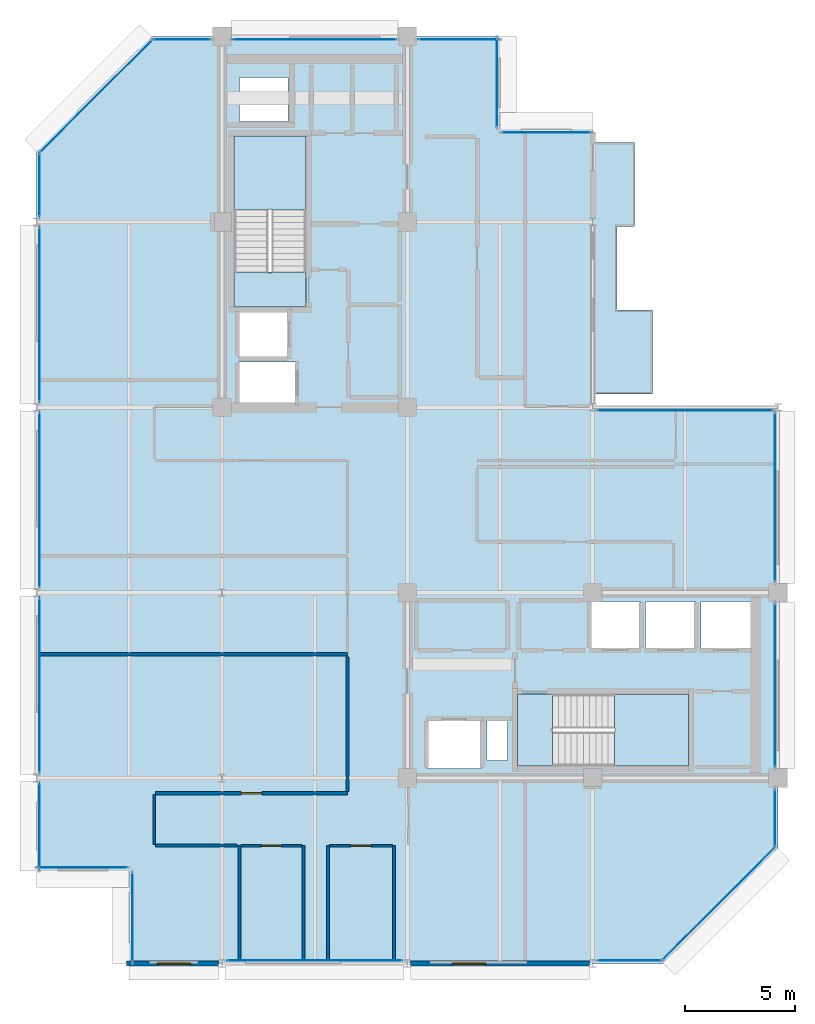
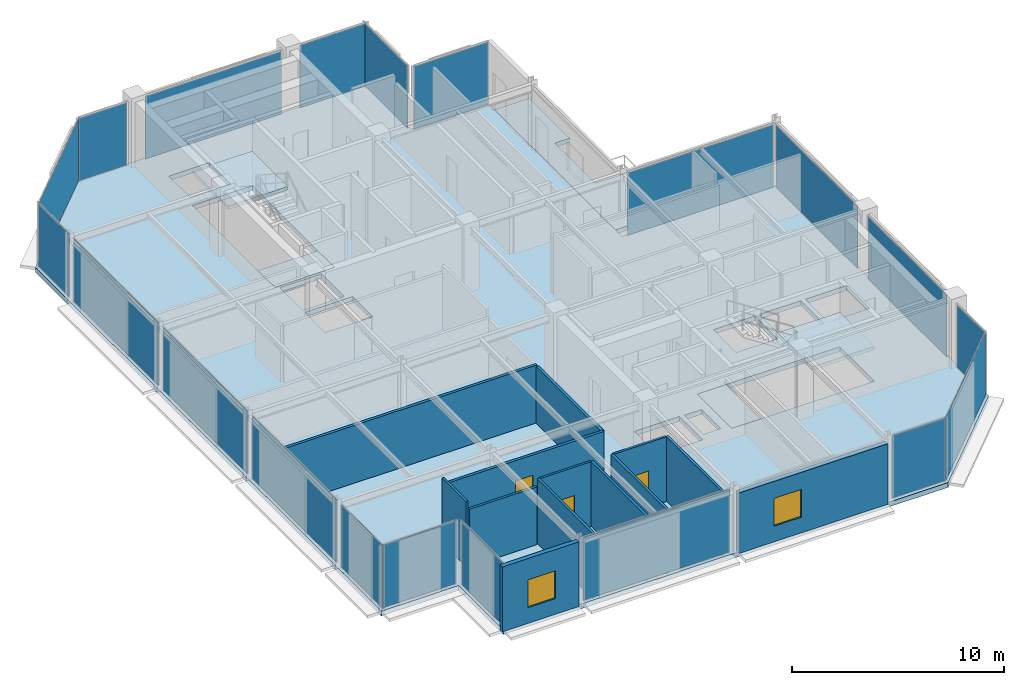
# One storey, part 19 of 25: 20 plates, 13 walls, 6 slabs, 3 doors, 2 windows, 5 openings, 22 elements without a shape of their own.
"""IFC4 building model written with IfcOpenShell, lengths in metres."""

from ifc_helpers import new_model, si_unit, direction, frame, frame_2d, origin, origin_2d, place, context, subcontext, project, spatial, polyline, rectangle, outline, extrude, material, layer, layer_set, type_object, element, fill, aggregate, save


model = new_model("IFC4")

# Units and contexts
model_context = context("Model", 3, precision=1e-05, world=origin(), true_north=direction((0.0, 1.0)))
body_context = subcontext(model_context, "Body", "Model", "MODEL_VIEW")
ifc_project = project(units=[si_unit("LENGTHUNIT", "METRE"), si_unit("AREAUNIT", "SQUARE_METRE"), si_unit("VOLUMEUNIT", "CUBIC_METRE"), si_unit("PLANEANGLEUNIT", "RADIAN"), si_unit("MASSUNIT", "GRAM", prefix="KILO")], contexts=[model_context])

# Site, building, storey
site_placement = place(None, origin())
site = spatial("IfcSite", under=ifc_project, at=site_placement, CompositionType="ELEMENT")
building_placement = place(site_placement, origin())
building = spatial("IfcBuilding", under=site, at=building_placement, Name="Nerrivon Quay Data Exchange", CompositionType="ELEMENT")
storey_placement = place(building_placement, frame((0.0, 0.0, 290.199951171875)))
storey = spatial("IfcBuildingStorey", under=building, at=storey_placement, Name="L69", CompositionType="ELEMENT", Elevation=290.199951171875)

# Curtain wall, plate
ifc_material_1 = material(Name="Anodised aluminium 6063-T6", Category="aluminium")
ifc_layer_1 = layer(ifc_material_1, 0.195068359375)
ifc_layer_set_1 = layer_set([ifc_layer_1], Name="Anodised aluminium 6063-T6")
curtain_wall_type = type_object("IfcCurtainWallType", Name="CW-SYS-06", PredefinedType="NOTDEFINED", material=ifc_layer_set_1)
curtain_wall_1_placement = place(storey_placement, origin())
curtain_wall_1 = element("IfcCurtainWall", 1, at=curtain_wall_1_placement, inside=storey, type_object=curtain_wall_type, Name="L69 Unitised Curtain Wall 1", PredefinedType="NOTDEFINED")
ifc_material_2 = material(Name="Double-glazed low-E solar control glass", Category="glass")
ifc_layer_2 = layer(ifc_material_2, 0.028076171875)
ifc_layer_set_2 = layer_set([ifc_layer_2], Name="Double-glazed low-E solar control glass")
plate_type = type_object("IfcPlateType", Name="CWP-GLZ-28", PredefinedType="CURTAIN_PANEL", material=ifc_layer_set_2)
plate_1_placement = place(storey_placement, frame((30.90087890625, 2.698974609375, 0.06494140625), z_axis=(0.0, 0.0, 1.0), x_axis=(-0.707106781187, -0.707106781187, 0.0)))
plate_1 = element("IfcPlate", 2, at=plate_1_placement, type_object=plate_type, Name="CW06 panel 1.1", PredefinedType="CURTAIN_PANEL", context=body_context, shape_type="SweptSolid", body=[
    extrude(rectangle(XDim=7.203857421875, YDim=0.028076171875, at=origin_2d()), origin(), (0.0, 0.0, 1.0), 3.594970703125),
])
aggregate(curtain_wall_1, [plate_1])

curtain_wall_2_placement = place(storey_placement, origin())
curtain_wall_2 = element("IfcCurtainWall", 3, at=curtain_wall_2_placement, inside=storey, type_object=curtain_wall_type, Name="L69 Unitised Curtain Wall 2", PredefinedType="NOTDEFINED")
plate_2_placement = place(storey_placement, frame((26.877685546875, 0.139892578125, 0.06494140625), z_axis=(0.0, 0.0, 1.0), x_axis=(-1.0, 0.0, 0.0)))
plate_2 = element("IfcPlate", 4, at=plate_2_placement, type_object=plate_type, Name="CW06 panel 1.1", PredefinedType="CURTAIN_PANEL", context=body_context, shape_type="SweptSolid", body=[
    extrude(rectangle(XDim=2.89453125, YDim=0.028076171875, at=origin_2d()), origin(), (0.0, 0.0, 1.0), 3.594970703125),
])
aggregate(curtain_wall_2, [plate_2])

curtain_wall_3_placement = place(storey_placement, origin())
curtain_wall_3 = element("IfcCurtainWall", 5, at=curtain_wall_3_placement, inside=storey, type_object=curtain_wall_type, Name="L69 Unitised Curtain Wall 4", PredefinedType="NOTDEFINED")
plate_3_placement = place(storey_placement, frame((12.60009765625, 0.139892578125, 0.06494140625), z_axis=(0.0, 0.0, 1.0), x_axis=(-1.0, 0.0, 0.0)))
plate_3 = element("IfcPlate", 6, at=plate_3_placement, type_object=plate_type, Name="CW06 panel 1.1", PredefinedType="CURTAIN_PANEL", context=body_context, shape_type="SweptSolid", body=[
    extrude(rectangle(XDim=7.93896484375, YDim=0.028076171875, at=origin_2d()), origin(), (0.0, 0.0, 1.0), 3.594970703125),
])
aggregate(curtain_wall_3, [plate_3])

curtain_wall_4_placement = place(storey_placement, origin())
curtain_wall_4 = element("IfcCurtainWall", 7, at=curtain_wall_4_placement, inside=storey, type_object=curtain_wall_type, Name="L69 Unitised Curtain Wall 6", PredefinedType="NOTDEFINED")
plate_4_placement = place(storey_placement, frame((4.340087890625, 2.10009765625, 0.06494140625), z_axis=(0.0, 0.0, 1.0), x_axis=(0.0, 1.0, 0.0)))
plate_4 = element("IfcPlate", 8, at=plate_4_placement, type_object=plate_type, Name="CW06 panel 1.1", PredefinedType="CURTAIN_PANEL", context=body_context, shape_type="SweptSolid", body=[
    extrude(rectangle(XDim=4.050048828125, YDim=0.028076171875, at=origin_2d()), origin(), (0.0, 0.0, 1.0), 3.594970703125),
])
aggregate(curtain_wall_4, [plate_4])

curtain_wall_5_placement = place(storey_placement, origin())
curtain_wall_5 = element("IfcCurtainWall", 9, at=curtain_wall_5_placement, inside=storey, type_object=curtain_wall_type, Name="L69 Unitised Curtain Wall 7", PredefinedType="NOTDEFINED")
plate_5_placement = place(storey_placement, frame((2.10009765625, 4.340087890625, 0.06494140625), z_axis=(0.0, 0.0, 1.0), x_axis=(-1.0, 0.0, 0.0)))
plate_5 = element("IfcPlate", 10, at=plate_5_placement, type_object=plate_type, Name="CW06 panel 1.1", PredefinedType="CURTAIN_PANEL", context=body_context, shape_type="SweptSolid", body=[
    extrude(rectangle(XDim=4.050048828125, YDim=0.028076171875, at=origin_2d()), origin(), (0.0, 0.0, 1.0), 3.594970703125),
])
aggregate(curtain_wall_5, [plate_5])

curtain_wall_6_placement = place(storey_placement, origin())
curtain_wall_6 = element("IfcCurtainWall", 11, at=curtain_wall_6_placement, inside=storey, type_object=curtain_wall_type, Name="L69 Unitised Curtain Wall 8", PredefinedType="NOTDEFINED")
plate_6_placement = place(storey_placement, frame((0.139892578125, 6.21826171875, 0.06494140625), z_axis=(0.0, 0.0, 1.0), x_axis=(0.0, 1.0, 0.0)))
plate_6 = element("IfcPlate", 12, at=plate_6_placement, type_object=plate_type, Name="CW06 panel 1.1", PredefinedType="CURTAIN_PANEL", context=body_context, shape_type="SweptSolid", body=[
    extrude(rectangle(XDim=3.886474609375, YDim=0.028076171875, at=origin_2d()), origin(), (0.0, 0.0, 1.0), 3.594970703125),
])
aggregate(curtain_wall_6, [plate_6])

curtain_wall_7_placement = place(storey_placement, origin())
curtain_wall_7 = element("IfcCurtainWall", 13, at=curtain_wall_7_placement, inside=storey, type_object=curtain_wall_type, Name="L69 Unitised Curtain Wall 9", PredefinedType="NOTDEFINED")
plate_7_placement = place(storey_placement, frame((0.139892578125, 12.60009765625, 0.06494140625), z_axis=(0.0, 0.0, 1.0), x_axis=(0.0, 1.0, 0.0)))
plate_7 = element("IfcPlate", 14, at=plate_7_placement, type_object=plate_type, Name="CW06 panel 1.1", PredefinedType="CURTAIN_PANEL", context=body_context, shape_type="SweptSolid", body=[
    extrude(rectangle(XDim=7.923095703125, YDim=0.028076171875, at=origin_2d()), origin(), (0.0, 0.0, 1.0), 3.594970703125),
])
aggregate(curtain_wall_7, [plate_7])

curtain_wall_8_placement = place(storey_placement, origin())
curtain_wall_8 = element("IfcCurtainWall", 15, at=curtain_wall_8_placement, inside=storey, type_object=curtain_wall_type, Name="L69 Unitised Curtain Wall 10", PredefinedType="NOTDEFINED")
plate_8_placement = place(storey_placement, frame((0.139892578125, 21.0, 0.06494140625), z_axis=(0.0, 0.0, 1.0), x_axis=(0.0, 1.0, 0.0)))
plate_8 = element("IfcPlate", 16, at=plate_8_placement, type_object=plate_type, Name="CW06 panel 1.1", PredefinedType="CURTAIN_PANEL", context=body_context, shape_type="SweptSolid", body=[
    extrude(rectangle(XDim=7.923095703125, YDim=0.028076171875, at=origin_2d()), origin(), (0.0, 0.0, 1.0), 3.594970703125),
])
aggregate(curtain_wall_8, [plate_8])

curtain_wall_9_placement = place(storey_placement, origin())
curtain_wall_9 = element("IfcCurtainWall", 17, at=curtain_wall_9_placement, inside=storey, type_object=curtain_wall_type, Name="L69 Unitised Curtain Wall 11", PredefinedType="NOTDEFINED")
plate_9_placement = place(storey_placement, frame((0.139892578125, 29.39990234375, 0.06494140625), z_axis=(0.0, 0.0, 1.0), x_axis=(0.0, 1.0, 0.0)))
plate_9 = element("IfcPlate", 18, at=plate_9_placement, type_object=plate_type, Name="CW06 panel 1.1", PredefinedType="CURTAIN_PANEL", context=body_context, shape_type="SweptSolid", body=[
    extrude(rectangle(XDim=7.923095703125, YDim=0.028076171875, at=origin_2d()), origin(), (0.0, 0.0, 1.0), 3.594970703125),
])
aggregate(curtain_wall_9, [plate_9])

curtain_wall_10_placement = place(storey_placement, origin())
curtain_wall_10 = element("IfcCurtainWall", 19, at=curtain_wall_10_placement, inside=storey, type_object=curtain_wall_type, Name="L69 Unitised Curtain Wall 12", PredefinedType="NOTDEFINED")
plate_10_placement = place(storey_placement, frame((0.139892578125, 35.28173828125, 0.06494140625), z_axis=(0.0, 0.0, 1.0), x_axis=(0.0, 1.0, 0.0)))
plate_10 = element("IfcPlate", 20, at=plate_10_placement, type_object=plate_type, Name="CW06 panel 1.1", PredefinedType="CURTAIN_PANEL", context=body_context, shape_type="SweptSolid", body=[
    extrude(rectangle(XDim=2.886474609375, YDim=0.028076171875, at=origin_2d()), origin(), (0.0, 0.0, 1.0), 3.594970703125),
])
aggregate(curtain_wall_10, [plate_10])

curtain_wall_11_placement = place(storey_placement, origin())
curtain_wall_11 = element("IfcCurtainWall", 21, at=curtain_wall_11_placement, inside=storey, type_object=curtain_wall_type, Name="L69 Unitised Curtain Wall 13", PredefinedType="NOTDEFINED")
plate_11_placement = place(storey_placement, frame((2.698974609375, 39.301025390625, 0.06494140625), z_axis=(0.0, 0.0, 1.0), x_axis=(0.707106781187, 0.707106781187, 0.0)))
plate_11 = element("IfcPlate", 22, at=plate_11_placement, type_object=plate_type, Name="CW06 panel 1.1", PredefinedType="CURTAIN_PANEL", context=body_context, shape_type="SweptSolid", body=[
    extrude(rectangle(XDim=7.203857421875, YDim=0.028076171875, at=origin_2d()), origin(), (0.0, 0.0, 1.0), 3.594970703125),
])
aggregate(curtain_wall_11, [plate_11])

curtain_wall_12_placement = place(storey_placement, origin())
curtain_wall_12 = element("IfcCurtainWall", 23, at=curtain_wall_12_placement, inside=storey, type_object=curtain_wall_type, Name="L69 Unitised Curtain Wall 14", PredefinedType="NOTDEFINED")
plate_12_placement = place(storey_placement, frame((6.58740234375, 41.860107421875, 0.06494140625), z_axis=(0.0, 0.0, 1.0), x_axis=(1.0, 0.0, 0.0)))
plate_12 = element("IfcPlate", 24, at=plate_12_placement, type_object=plate_type, Name="CW06 panel 1.1", PredefinedType="CURTAIN_PANEL", context=body_context, shape_type="SweptSolid", body=[
    extrude(rectangle(XDim=2.625, YDim=0.028076171875, at=origin_2d()), origin(), (0.0, 0.0, 1.0), 3.594970703125),
])
aggregate(curtain_wall_12, [plate_12])

curtain_wall_13_placement = place(storey_placement, origin())
curtain_wall_13 = element("IfcCurtainWall", 25, at=curtain_wall_13_placement, inside=storey, type_object=curtain_wall_type, Name="L69 Unitised Curtain Wall 15", PredefinedType="NOTDEFINED")
plate_13_placement = place(storey_placement, frame((12.60009765625, 41.860107421875, 0.06494140625), z_axis=(0.0, 0.0, 1.0), x_axis=(1.0, 0.0, 0.0)))
plate_13 = element("IfcPlate", 26, at=plate_13_placement, type_object=plate_type, Name="CW06 panel 1.1", PredefinedType="CURTAIN_PANEL", context=body_context, shape_type="SweptSolid", body=[
    extrude(rectangle(XDim=7.39990234375, YDim=0.028076171875, at=origin_2d()), origin(), (0.0, 0.0, 1.0), 3.594970703125),
])
aggregate(curtain_wall_13, [plate_13])

curtain_wall_14_placement = place(storey_placement, origin())
curtain_wall_14 = element("IfcCurtainWall", 27, at=curtain_wall_14_placement, inside=storey, type_object=curtain_wall_type, Name="L69 Unitised Curtain Wall 16", PredefinedType="NOTDEFINED")
plate_14_placement = place(storey_placement, frame((19.112548828125, 41.860107421875, 0.06494140625), z_axis=(0.0, 0.0, 1.0), x_axis=(1.0, 0.0, 0.0)))
plate_14 = element("IfcPlate", 28, at=plate_14_placement, type_object=plate_type, Name="CW06 panel 1.1", PredefinedType="CURTAIN_PANEL", context=body_context, shape_type="SweptSolid", body=[
    extrude(rectangle(XDim=3.625, YDim=0.028076171875, at=origin_2d()), origin(), (0.0, 0.0, 1.0), 3.594970703125),
])
aggregate(curtain_wall_14, [plate_14])

curtain_wall_15_placement = place(storey_placement, origin())
curtain_wall_15 = element("IfcCurtainWall", 29, at=curtain_wall_15_placement, inside=storey, type_object=curtain_wall_type, Name="L69 Unitised Curtain Wall 17", PredefinedType="NOTDEFINED")
plate_15_placement = place(storey_placement, frame((20.860107421875, 39.89990234375, 0.06494140625), z_axis=(0.0, 0.0, 1.0), x_axis=(0.0, -1.0, 0.0)))
plate_15 = element("IfcPlate", 30, at=plate_15_placement, type_object=plate_type, Name="CW06 panel 1.1", PredefinedType="CURTAIN_PANEL", context=body_context, shape_type="SweptSolid", body=[
    extrude(rectangle(XDim=4.050048828125, YDim=0.028076171875, at=origin_2d()), origin(), (0.0, 0.0, 1.0), 3.594970703125),
])
aggregate(curtain_wall_15, [plate_15])

curtain_wall_16_placement = place(storey_placement, origin())
curtain_wall_16 = element("IfcCurtainWall", 31, at=curtain_wall_16_placement, inside=storey, type_object=curtain_wall_type, Name="L69 Unitised Curtain Wall 18", PredefinedType="NOTDEFINED")
plate_16_placement = place(storey_placement, frame((23.10009765625, 37.659912109375, 0.06494140625), z_axis=(0.0, 0.0, 1.0), x_axis=(1.0, 0.0, 0.0)))
plate_16 = element("IfcPlate", 32, at=plate_16_placement, type_object=plate_type, Name="CW06 panel 1.1", PredefinedType="CURTAIN_PANEL", context=body_context, shape_type="SweptSolid", body=[
    extrude(rectangle(XDim=4.050048828125, YDim=0.028076171875, at=origin_2d()), origin(), (0.0, 0.0, 1.0), 3.594970703125),
])
aggregate(curtain_wall_16, [plate_16])

curtain_wall_17_placement = place(storey_placement, origin())
curtain_wall_17 = element("IfcCurtainWall", 33, at=curtain_wall_17_placement, inside=storey, type_object=curtain_wall_type, Name="L69 Unitised Curtain Wall 21", PredefinedType="NOTDEFINED")
plate_17_placement = place(storey_placement, frame((29.39990234375, 25.06005859375, 0.06494140625), z_axis=(0.0, 0.0, 1.0), x_axis=(1.0, 0.0, 0.0)))
plate_17 = element("IfcPlate", 34, at=plate_17_placement, type_object=plate_type, Name="CW06 panel 1.1", PredefinedType="CURTAIN_PANEL", context=body_context, shape_type="SweptSolid", body=[
    extrude(rectangle(XDim=7.93896484375, YDim=0.028076171875, at=origin_2d()), origin(), (0.0, 0.0, 1.0), 3.594970703125),
])
aggregate(curtain_wall_17, [plate_17])

curtain_wall_18_placement = place(storey_placement, origin())
curtain_wall_18 = element("IfcCurtainWall", 35, at=curtain_wall_18_placement, inside=storey, type_object=curtain_wall_type, Name="L69 Unitised Curtain Wall 22", PredefinedType="NOTDEFINED")
plate_18_placement = place(storey_placement, frame((33.4599609375, 21.130859375, 0.06494140625), z_axis=(0.0, 0.0, 1.0), x_axis=(0.0, -1.0, 0.0)))
plate_18 = element("IfcPlate", 36, at=plate_18_placement, type_object=plate_type, Name="CW06 panel 1.1", PredefinedType="CURTAIN_PANEL", context=body_context, shape_type="SweptSolid", body=[
    extrude(rectangle(XDim=7.66162109375, YDim=0.028076171875, at=origin_2d()), origin(), (0.0, 0.0, 1.0), 3.594970703125),
])
aggregate(curtain_wall_18, [plate_18])

curtain_wall_19_placement = place(storey_placement, origin())
curtain_wall_19 = element("IfcCurtainWall", 37, at=curtain_wall_19_placement, inside=storey, type_object=curtain_wall_type, Name="L69 Unitised Curtain Wall 23", PredefinedType="NOTDEFINED")
plate_19_placement = place(storey_placement, frame((33.4599609375, 12.60009765625, 0.06494140625), z_axis=(0.0, 0.0, 1.0), x_axis=(0.0, -1.0, 0.0)))
plate_19 = element("IfcPlate", 38, at=plate_19_placement, type_object=plate_type, Name="CW06 panel 1.1", PredefinedType="CURTAIN_PANEL", context=body_context, shape_type="SweptSolid", body=[
    extrude(rectangle(XDim=7.39990234375, YDim=0.028076171875, at=origin_2d()), origin(), (0.0, 0.0, 1.0), 3.594970703125),
])
aggregate(curtain_wall_19, [plate_19])

curtain_wall_20_placement = place(storey_placement, origin())
curtain_wall_20 = element("IfcCurtainWall", 39, at=curtain_wall_20_placement, inside=storey, type_object=curtain_wall_type, Name="L69 Unitised Curtain Wall 24", PredefinedType="NOTDEFINED")
plate_20_placement = place(storey_placement, frame((33.4599609375, 6.58740234375, 0.06494140625), z_axis=(0.0, 0.0, 1.0), x_axis=(0.0, -1.0, 0.0)))
plate_20 = element("IfcPlate", 40, at=plate_20_placement, type_object=plate_type, Name="CW06 panel 1.1", PredefinedType="CURTAIN_PANEL", context=body_context, shape_type="SweptSolid", body=[
    extrude(rectangle(XDim=2.625, YDim=0.028076171875, at=origin_2d()), origin(), (0.0, 0.0, 1.0), 3.594970703125),
])
aggregate(curtain_wall_20, [plate_20])

# Slab
ifc_material_3 = material(Name="Precast white architectural concrete N50 (50 MPa)", Category="concrete")
ifc_layer_3 = layer(ifc_material_3, 0.25)
ifc_layer_set_3 = layer_set([ifc_layer_3], Name="Precast white architectural concrete N50 (50 MPa)")
slab_type_1 = type_object("IfcSlabType", Name="SLB-BAL-250", PredefinedType="FLOOR", material=ifc_layer_set_3)
slab_1_placement = place(storey_placement, frame((0.0, 0.0, -0.25)))
element("IfcSlab", 41, at=slab_1_placement, inside=storey, type_object=slab_type_1, Name="L69 Waterfront Subtropical Verandah", PredefinedType="FLOOR", context=body_context, shape_type="SweptSolid", body=[
    extrude(outline(polyline([(26.300048828125, 29.60009765625), (26.300048828125, 33.39990234375), (27.10009765625, 33.39990234375), (27.10009765625, 37.199951171875), (25.199951171875, 37.199951171875), (25.199951171875, 33.39990234375), (25.199951171875, 29.60009765625), (25.199951171875, 25.800048828125), (27.89990234375, 25.800048828125), (27.89990234375, 29.60009765625), (26.300048828125, 29.60009765625)])), origin(), (0.0, 0.0, 1.0), 0.25),
])

# Stair, slab
ifc_material_4 = material(Name="Concrete N50 (50 MPa)", Category="concrete")
stair_type = type_object("IfcStairType", Name="STAIR-DOG-40", PredefinedType="HALF_TURN_STAIR", material=ifc_material_4)
stair_1_placement = place(storey_placement, origin())
stair_1 = element("IfcStair", 42, at=stair_1_placement, inside=storey, type_object=stair_type, Name="L69 West Core Fire Stair ST01", PredefinedType="HALF_TURN_STAIR")
ifc_layer_4 = layer(ifc_material_4, 0.199951171875)
ifc_layer_set_4 = layer_set([ifc_layer_4], Name="Concrete N50 (50 MPa)")
slab_type_2 = type_object("IfcSlabType", Name="SLB-LAND-200", PredefinedType="LANDING", material=ifc_layer_set_4)
slab_2_placement = place(storey_placement, frame((0.0, 0.0, 1.800048828125)))
slab_2 = element("IfcSlab", 43, at=slab_2_placement, type_object=slab_type_2, Name="ST01 landing 1", PredefinedType="LANDING", context=body_context, shape_type="SweptSolid", body=[
    extrude(outline(polyline([(12.199951171875, 34.1298828125), (12.199951171875, 37.5), (8.949951171875, 37.5), (8.949951171875, 34.1298828125), (12.199951171875, 34.1298828125)])), origin(), (0.0, 0.0, 1.0), 0.199951171875),
])
aggregate(stair_1, [slab_2])

# Slab
slab_3_placement = place(storey_placement, frame((0.0, 0.0, -0.199951171875)))
element("IfcSlab", 44, at=slab_3_placement, inside=storey, type_object=slab_type_2, Name="L69 ST01 floor landing", PredefinedType="LANDING", context=body_context, shape_type="SweptSolid", body=[
    extrude(outline(polyline([(12.199951171875, 29.75), (12.199951171875, 31.330078125), (8.949951171875, 31.330078125), (8.949951171875, 29.75), (12.199951171875, 29.75)])), origin(), (0.0, 0.0, 1.0), 0.199951171875),
])

# Stair, slab
stair_2_placement = place(storey_placement, origin())
stair_2 = element("IfcStair", 45, at=stair_2_placement, inside=storey, type_object=stair_type, Name="L69 East Core Fire Stair ST02", PredefinedType="HALF_TURN_STAIR")
slab_4_placement = place(storey_placement, frame((0.0, 0.0, 1.800048828125)))
slab_4 = element("IfcSlab", 46, at=slab_4_placement, type_object=slab_type_2, Name="ST02 landing 1", PredefinedType="LANDING", context=body_context, shape_type="SweptSolid", body=[
    extrude(outline(polyline([(26.179931640625, 8.949951171875), (29.550048828125, 8.949951171875), (29.550048828125, 12.199951171875), (26.179931640625, 12.199951171875), (26.179931640625, 8.949951171875)])), origin(), (0.0, 0.0, 1.0), 0.199951171875),
])
aggregate(stair_2, [slab_4])

# Slabs
slab_5_placement = place(storey_placement, frame((0.0, 0.0, -0.199951171875)))
element("IfcSlab", 47, at=slab_5_placement, inside=storey, type_object=slab_type_2, Name="L69 ST02 floor landing", PredefinedType="LANDING", context=body_context, shape_type="SweptSolid", body=[
    extrude(outline(polyline([(21.800048828125, 8.949951171875), (23.3798828125, 8.949951171875), (23.3798828125, 12.199951171875), (21.800048828125, 12.199951171875), (21.800048828125, 8.949951171875)])), origin(), (0.0, 0.0, 1.0), 0.199951171875),
])
ifc_layer_5 = layer(ifc_material_4, 0.27490234375)
ifc_layer_set_5 = layer_set([ifc_layer_5], Name="Concrete N50 (50 MPa)")
slab_type_3 = type_object("IfcSlabType", Name="SLB-TOW-275", PredefinedType="FLOOR", material=ifc_layer_set_5)
slab_6_placement = place(storey_placement, frame((0.0, 0.0, -0.27490234375)))
element("IfcSlab", 48, at=slab_6_placement, inside=storey, type_object=slab_type_3, Name="L69 Primary Structural Slab", PredefinedType="FLOOR", context=body_context, shape_type="SweptSolid", body=[
    extrude(outline(polyline([(33.60009765625, 25.199951171875), (25.199951171875, 25.199951171875), (25.199951171875, 37.800048828125), (21.0, 37.800048828125), (21.0, 42.0), (5.199951171875, 42.0), (0.0, 36.800048828125), (0.0, 4.199951171875), (4.199951171875, 4.199951171875), (4.199951171875, 0.0), (28.39990234375, 0.0), (33.60009765625, 5.199951171875), (33.60009765625, 25.199951171875)]), holes=[polyline([(8.949951171875, 29.75), (8.949951171875, 37.5), (12.199951171875, 37.5), (12.199951171875, 29.75), (8.949951171875, 29.75)]), polyline([(21.800048828125, 12.199951171875), (29.550048828125, 12.199951171875), (29.550048828125, 8.949951171875), (21.800048828125, 8.949951171875), (21.800048828125, 12.199951171875)]), polyline([(30.10009765625, 14.25), (30.10009765625, 16.39990234375), (32.35009765625, 16.39990234375), (32.35009765625, 14.25), (30.10009765625, 14.25)]), polyline([(27.60009765625, 14.25), (27.60009765625, 16.39990234375), (29.85009765625, 16.39990234375), (29.85009765625, 14.25), (27.60009765625, 14.25)]), polyline([(25.10009765625, 14.25), (25.10009765625, 16.39990234375), (27.35009765625, 16.39990234375), (27.35009765625, 14.25), (25.10009765625, 14.25)]), polyline([(20.39990234375, 9.199951171875), (20.39990234375, 11.0), (21.35009765625, 11.0), (21.35009765625, 9.199951171875), (20.39990234375, 9.199951171875)]), polyline([(17.699951171875, 8.830078125), (17.699951171875, 11.030029296875), (20.14990234375, 11.030029296875), (20.14990234375, 8.830078125), (17.699951171875, 8.830078125)]), polyline([(9.14990234375, 25.35009765625), (9.14990234375, 27.25), (11.75, 27.25), (11.75, 25.35009765625), (9.14990234375, 25.35009765625)]), polyline([(9.14990234375, 27.449951171875), (9.14990234375, 29.60009765625), (11.39990234375, 29.60009765625), (11.39990234375, 27.449951171875), (9.14990234375, 27.449951171875)]), polyline([(9.199951171875, 38.14990234375), (9.199951171875, 40.14990234375), (11.39990234375, 40.14990234375), (11.39990234375, 38.14990234375), (9.199951171875, 38.14990234375)])]), origin(), (0.0, 0.0, 1.0), 0.27490234375),
])

# Wall, opening, window
ifc_material_5 = material(Name="Architectural terracotta precast concrete N50 (50 MPa)", Category="masonry")
ifc_layer_6 = layer(ifc_material_5, 0.239990234375)
ifc_layer_set_6 = layer_set([ifc_layer_6], Name="Architectural terracotta precast concrete N50 (50 MPa)")
wall_type_1 = type_object("IfcWallType", Name="EW-PREC-240", PredefinedType="STANDARD", material=ifc_layer_set_6)
wall_1_placement = place(storey_placement, frame((25.04443359375, 0.0, 0.0), z_axis=(0.0, 0.0, 1.0), x_axis=(-1.0, 0.0, 0.0)))
wall_1 = element("IfcWall", 49, at=wall_1_placement, inside=storey, type_object=wall_type_1, Name="L69 Podium Precast Spandrel Wall 3", PredefinedType="STANDARD", context=body_context, shape_type="SweptSolid", body=[
    extrude(rectangle(XDim=8.0888671875, YDim=0.239990234375, at=frame_2d((4.04443359375, 0.0))), origin(), (0.0, 0.0, 1.0), 3.47509765625),
])
opening_1_placement = place(wall_1_placement, frame((4.69970703125, 0.0, 0.89990234375)))
opening_1 = element("IfcOpeningElement", 50, at=opening_1_placement, cuts=wall_1, Name="Opening WN4", PredefinedType="OPENING", context=body_context, shape_type="SweptSolid", body=[
    extrude(rectangle(XDim=1.5, YDim=1.60009765625, at=frame_2d((0.75, 0.800048828125))), frame((0.0, 0.1298828125, 0.0), z_axis=(0.0, -1.0, 0.0), x_axis=(1.0, 0.0, 0.0)), (0.0, 0.0, 1.0), 0.260009765625),
])
window_type = type_object("IfcWindowType", Name="WIN-W4-1500x1600", PartitioningType="SINGLE_PANEL", PredefinedType="WINDOW", material=ifc_material_2)
window_1_placement = place(opening_1_placement, origin())
window_1 = element("IfcWindow", 51, at=window_1_placement, inside=storey, type_object=window_type, Name="L69 Solar Facade Window 3", OverallHeight=1.60009765625, OverallWidth=1.5, PartitioningType="SINGLE_PANEL", PredefinedType="WINDOW", context=body_context, shape_type="SweptSolid", body=[
    extrude(rectangle(XDim=1.5, YDim=1.60009765625, at=frame_2d((0.75, 0.800048828125))), frame((0.0, 0.030029296875, 0.0), z_axis=(0.0, -1.0, 0.0), x_axis=(1.0, 0.0, 0.0)), (0.0, 0.0, 1.0), 0.06005859375),
])
fill(opening_1, window_1)

wall_2_placement = place(storey_placement, frame((8.244384765625, 0.0, 0.0), z_axis=(0.0, 0.0, 1.0), x_axis=(-1.0, 0.0, 0.0)))
wall_2 = element("IfcWall", 52, at=wall_2_placement, inside=storey, type_object=wall_type_1, Name="L69 Podium Precast Spandrel Wall 5", PredefinedType="STANDARD", context=body_context, shape_type="SweptSolid", body=[
    extrude(rectangle(XDim=4.164306640625, YDim=0.239990234375, at=frame_2d((2.08203125, 0.0))), origin(), (0.0, 0.0, 1.0), 3.72509765625),
])
opening_2_placement = place(wall_2_placement, frame((1.267333984375, 0.0, 0.89990234375)))
opening_2 = element("IfcOpeningElement", 53, at=opening_2_placement, cuts=wall_2, Name="Opening WN4", PredefinedType="OPENING", context=body_context, shape_type="SweptSolid", body=[
    extrude(rectangle(XDim=1.5, YDim=1.60009765625, at=frame_2d((0.75, 0.800048828125))), frame((0.0, 0.1298828125, 0.0), z_axis=(0.0, -1.0, 0.0), x_axis=(1.0, 0.0, 0.0)), (0.0, 0.0, 1.0), 0.260009765625),
])
window_2_placement = place(opening_2_placement, origin())
window_2 = element("IfcWindow", 54, at=window_2_placement, inside=storey, type_object=window_type, Name="L69 Solar Facade Window 5", OverallHeight=1.60009765625, OverallWidth=1.5, PartitioningType="SINGLE_PANEL", PredefinedType="WINDOW", context=body_context, shape_type="SweptSolid", body=[
    extrude(rectangle(XDim=1.5, YDim=1.60009765625, at=frame_2d((0.75, 0.800048828125))), frame((0.0, 0.030029296875, 0.0), z_axis=(0.0, -1.0, 0.0), x_axis=(1.0, 0.0, 0.0)), (0.0, 0.0, 1.0), 0.06005859375),
])
fill(opening_2, window_2)

# Wall, opening, door
ifc_material_6 = material(Name="Gypsum plasterboard on cold-formed framing", Category="gypsum")
ifc_layer_7 = layer(ifc_material_6, 0.1201171875)
ifc_layer_set_7 = layer_set([ifc_layer_7], Name="Gypsum plasterboard on cold-formed framing")
wall_type_2 = type_object("IfcWallType", Name="WALL-PT-120", PredefinedType="PARTITIONING", material=ifc_layer_set_7)
wall_3_placement = place(storey_placement, frame((16.12841796875, 5.340087890625, 0.0), z_axis=(0.0, 0.0, 1.0), x_axis=(-1.0, 0.0, 0.0)))
wall_3 = element("IfcWall", 55, at=wall_3_placement, inside=storey, type_object=wall_type_2, Name="L69 Partition Accessible Toilet", PredefinedType="PARTITIONING", context=body_context, shape_type="SweptSolid", body=[
    extrude(rectangle(XDim=2.85693359375, YDim=0.1201171875, at=frame_2d((1.428466796875, 0.0))), origin(), (0.0, 0.0, 1.0), 3.72509765625),
])
opening_3_placement = place(wall_3_placement, frame((0.968505859375, 0.0, 0.0)))
opening_3 = element("IfcOpeningElement", 56, at=opening_3_placement, cuts=wall_3, Name="Opening D-WC", PredefinedType="OPENING", context=body_context, shape_type="SweptSolid", body=[
    extrude(rectangle(XDim=0.919921875, YDim=2.10009765625, at=frame_2d((0.4599609375, 1.050048828125))), frame((0.0, 0.070068359375, 0.0), z_axis=(0.0, -1.0, 0.0), x_axis=(1.0, 0.0, 0.0)), (0.0, 0.0, 1.0), 0.14013671875),
])
ifc_material_7 = material(Name="Engineered hardwood timber", Category="wood")
door_type_1 = type_object("IfcDoorType", Name="DR-WC-920", OperationType="NOTDEFINED", PredefinedType="DOOR", material=ifc_material_7)
door_1_placement = place(opening_3_placement, origin())
door_1 = element("IfcDoor", 57, at=door_1_placement, inside=storey, type_object=door_type_1, Name="L69 Door Accessible Toilet", OperationType="SINGLE_SWING_RIGHT", OverallHeight=2.10009765625, OverallWidth=0.919921875, PredefinedType="DOOR", context=body_context, shape_type="SweptSolid", body=[
    extrude(rectangle(XDim=0.919921875, YDim=2.10009765625, at=frame_2d((0.4599609375, 1.050048828125))), frame((0.0, 0.02490234375, 0.0), z_axis=(0.0, -1.0, 0.0), x_axis=(1.0, 0.0, 0.0)), (0.0, 0.0, 1.0), 0.050048828125),
])
fill(opening_3, door_1)

wall_4_placement = place(storey_placement, frame((12.028564453125, 5.340087890625, 0.0), z_axis=(0.0, 0.0, 1.0), x_axis=(-1.0, 0.0, 0.0)))
wall_4 = element("IfcWall", 58, at=wall_4_placement, inside=storey, type_object=wall_type_2, Name="L69 Partition Public Washrooms", PredefinedType="PARTITIONING", context=body_context, shape_type="SweptSolid", body=[
    extrude(rectangle(XDim=2.757080078125, YDim=0.1201171875, at=frame_2d((1.37841796875, 0.0))), origin(), (0.0, 0.0, 1.0), 3.72509765625),
])
opening_4_placement = place(wall_4_placement, frame((0.91845703125, 0.0, 0.0)))
opening_4 = element("IfcOpeningElement", 59, at=opening_4_placement, cuts=wall_4, Name="Opening D-WC", PredefinedType="OPENING", context=body_context, shape_type="SweptSolid", body=[
    extrude(rectangle(XDim=0.919921875, YDim=2.10009765625, at=frame_2d((0.4599609375, 1.050048828125))), frame((0.0, 0.070068359375, 0.0), z_axis=(0.0, -1.0, 0.0), x_axis=(1.0, 0.0, 0.0)), (0.0, 0.0, 1.0), 0.14013671875),
])
door_2_placement = place(opening_4_placement, origin())
door_2 = element("IfcDoor", 60, at=door_2_placement, inside=storey, type_object=door_type_1, Name="L69 Door Public Washrooms", OperationType="SINGLE_SWING_LEFT", OverallHeight=2.10009765625, OverallWidth=0.919921875, PredefinedType="DOOR", context=body_context, shape_type="SweptSolid", body=[
    extrude(rectangle(XDim=0.919921875, YDim=2.10009765625, at=frame_2d((0.4599609375, 1.050048828125))), frame((0.0, 0.02490234375, 0.0), z_axis=(0.0, -1.0, 0.0), x_axis=(1.0, 0.0, 0.0)), (0.0, 0.0, 1.0), 0.050048828125),
])
fill(opening_4, door_2)

# Walls
wall_5_placement = place(storey_placement, frame((5.340087890625, 5.39990234375, 0.0), z_axis=(0.0, 0.0, 1.0), x_axis=(0.0, 1.0, 0.0)))
element("IfcWall", 61, at=wall_5_placement, inside=storey, type_object=wall_type_2, Name="L69 Partition Staff Bistro", PredefinedType="PARTITIONING", context=body_context, shape_type="SweptSolid", body=[
    extrude(rectangle(XDim=2.25, YDim=0.1201171875, at=frame_2d((1.125, 0.0))), origin(), (0.0, 0.0, 1.0), 3.72509765625),
])
ifc_layer_8 = layer(ifc_material_6, 0.135009765625)
ifc_layer_set_8 = layer_set([ifc_layer_8], Name="Gypsum plasterboard on cold-formed framing")
wall_type_3 = type_object("IfcWallType", Name="WALL-PT-135", PredefinedType="PARTITIONING", material=ifc_layer_set_8)
for number, where, z_axis, x_axis, name in (
    (62, (13.199951171875, 5.340087890625, 0.0), (0.0, 0.0, 1.0), (0.0, -1.0, 0.0), "L69 Partition Accessible Toilet"),
    (63, (16.199951171875, 0.1689453125, 0.0), (0.0, 0.0, 1.0), (0.0, 1.0, 0.0), "L69 Partition Accessible Toilet"),
    (64, (9.199951171875, 5.340087890625, 0.0), (0.0, 0.0, 1.0), (0.0, -1.0, 0.0), "L69 Partition Public Washrooms"),
    (65, (12.10009765625, 0.1689453125, 0.0), (0.0, 0.0, 1.0), (0.0, 1.0, 0.0), "L69 Partition Public Washrooms"),
):
    element("IfcWall", number, at=place(storey_placement, frame(where, z_axis=z_axis, x_axis=x_axis)), inside=storey, type_object=wall_type_3, Name=name, PredefinedType="PARTITIONING", context=body_context, shape_type="SweptSolid", body=[
        extrude(rectangle(XDim=5.171142578125, YDim=0.135009765625, at=frame_2d((2.58544921875, 0.0))), origin(), (0.0, 0.0, 1.0), 3.72509765625),
    ])
wall_6_placement = place(storey_placement, frame((9.080078125, 5.340087890625, 0.0), z_axis=(0.0, 0.0, 1.0), x_axis=(-1.0, 0.0, 0.0)))
element("IfcWall", 66, at=wall_6_placement, inside=storey, type_object=wall_type_3, Name="L69 Partition Staff Bistro", PredefinedType="PARTITIONING", context=body_context, shape_type="SweptSolid", body=[
    extrude(rectangle(XDim=3.68017578125, YDim=0.135009765625, at=frame_2d((1.840087890625, 0.0))), origin(), (0.0, 0.0, 1.0), 3.319091796875),
])
ifc_layer_9 = layer(ifc_material_6, 0.14990234375)
ifc_layer_set_9 = layer_set([ifc_layer_9], Name="Gypsum plasterboard on cold-formed framing")
wall_type_4 = type_object("IfcWallType", Name="WALL-PT-150", PredefinedType="PARTITIONING", material=ifc_layer_set_9)
wall_7_placement = place(storey_placement, frame((0.1689453125, 14.016845703125, 0.0), z_axis=(0.0, 0.0, 1.0), x_axis=(1.0, 0.0, 0.0)))
element("IfcWall", 67, at=wall_7_placement, inside=storey, type_object=wall_type_4, Name="L69 Partition Staff Tea Pantry", PredefinedType="PARTITIONING", context=body_context, shape_type="SweptSolid", body=[
    extrude(rectangle(XDim=13.921142578125, YDim=0.14990234375, at=frame_2d((6.96044921875, 0.0))), origin(), (0.0, 0.0, 1.0), 3.319091796875),
])

# Wall, opening, door
wall_8_placement = place(storey_placement, frame((5.39990234375, 7.7099609375, 0.0), z_axis=(0.0, 0.0, 1.0), x_axis=(1.0, 0.0, 0.0)))
wall_8 = element("IfcWall", 68, at=wall_8_placement, inside=storey, type_object=wall_type_4, Name="L69 Partition Staff Bistro", PredefinedType="PARTITIONING", context=body_context, shape_type="SweptSolid", body=[
    extrude(rectangle(XDim=8.690185546875, YDim=0.14990234375, at=frame_2d((4.34521484375, 0.0))), origin(), (0.0, 0.0, 1.0), 3.319091796875),
])
opening_5_placement = place(wall_8_placement, frame((3.8701171875, 0.0, 0.0)))
opening_5 = element("IfcOpeningElement", 69, at=opening_5_placement, cuts=wall_8, Name="Opening D-01", PredefinedType="OPENING", context=body_context, shape_type="SweptSolid", body=[
    extrude(rectangle(XDim=0.949951171875, YDim=2.14990234375, at=frame_2d((0.47509765625, 1.074951171875))), frame((0.0, 0.0849609375, 0.0), z_axis=(0.0, -1.0, 0.0), x_axis=(1.0, 0.0, 0.0)), (0.0, 0.0, 1.0), 0.169921875),
])
door_type_2 = type_object("IfcDoorType", Name="DR-INT-950", OperationType="NOTDEFINED", PredefinedType="DOOR", material=ifc_material_7)
door_3_placement = place(opening_5_placement, origin())
door_3 = element("IfcDoor", 70, at=door_3_placement, inside=storey, type_object=door_type_2, Name="L69 Door Staff Bistro", OperationType="SINGLE_SWING_LEFT", OverallHeight=2.14990234375, OverallWidth=0.949951171875, PredefinedType="DOOR", context=body_context, shape_type="SweptSolid", body=[
    extrude(rectangle(XDim=0.949951171875, YDim=2.14990234375, at=frame_2d((0.47509765625, 1.074951171875))), frame((0.0, 0.02490234375, 0.0), z_axis=(0.0, -1.0, 0.0), x_axis=(1.0, 0.0, 0.0)), (0.0, 0.0, 1.0), 0.050048828125),
])
fill(opening_5, door_3)

# Wall
wall_9_placement = place(storey_placement, frame((14.090087890625, 7.7890625, 0.0), z_axis=(0.0, 0.0, 1.0), x_axis=(0.0, 1.0, 0.0)))
element("IfcWall", 71, at=wall_9_placement, inside=storey, type_object=wall_type_4, Name="L69 Partition Staff Bistro", PredefinedType="PARTITIONING", context=body_context, shape_type="SweptSolid", body=[
    extrude(rectangle(XDim=6.10791015625, YDim=0.14990234375, at=frame_2d((3.053955078125, 0.0))), origin(), (0.0, 0.0, 1.0), 3.27099609375),
])

save(model, "model.ifc")
